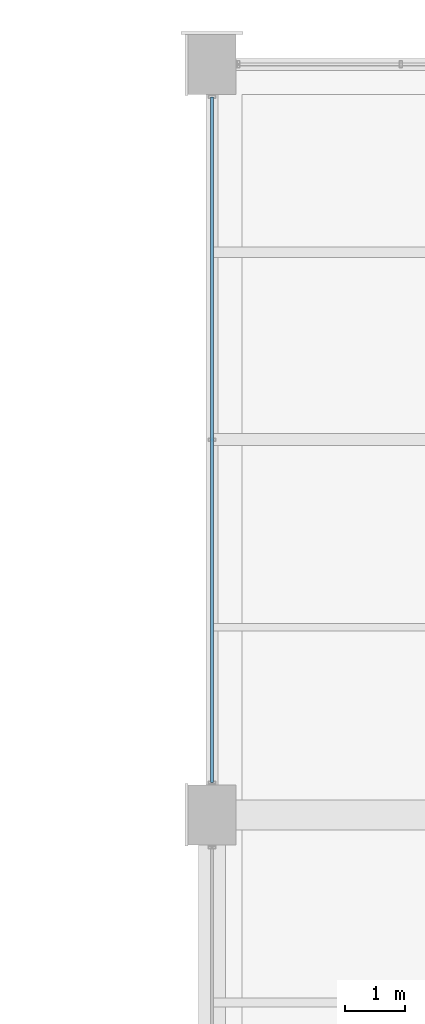
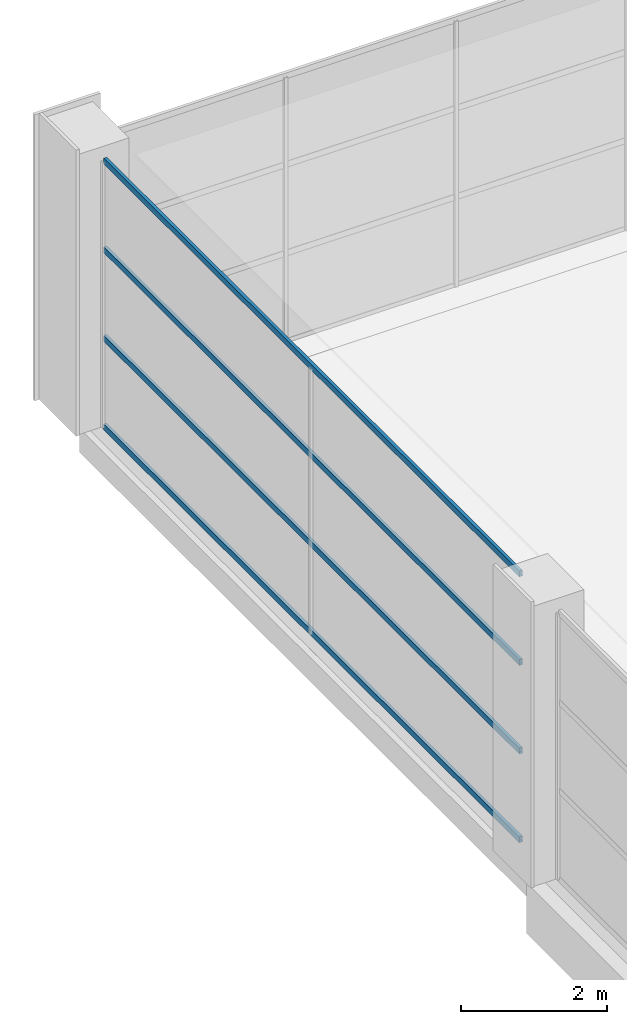
# One storey, part 61 of 112: 4 members, 1 element without a shape of its own.
"""IFC4 building model written with IfcOpenShell, lengths in metres."""

from ifc_helpers import new_model, si_unit, direction, frame, origin, origin_2d, place, context, subcontext, project, spatial, hollow_rectangle, extrude, material, material_profile, profile_set, type_object, element, aggregate, save


model = new_model("IFC4")

# Units and contexts
model_context = context("Model", 3, precision=1e-05, world=origin(), true_north=direction((0.0, 1.0)))
body_context = subcontext(model_context, "Body", "Model", "MODEL_VIEW")
ifc_project = project(units=[si_unit("LENGTHUNIT", "METRE"), si_unit("AREAUNIT", "SQUARE_METRE"), si_unit("VOLUMEUNIT", "CUBIC_METRE"), si_unit("PLANEANGLEUNIT", "RADIAN"), si_unit("MASSUNIT", "GRAM", prefix="KILO")], contexts=[model_context])

# Site, building, storey
site_placement = place(None, origin())
site = spatial("IfcSite", under=ifc_project, at=site_placement, CompositionType="ELEMENT")
building_placement = place(site_placement, origin())
building = spatial("IfcBuilding", under=site, at=building_placement, Name="Solvikara Media Centre", CompositionType="ELEMENT")
storey_placement = place(building_placement, frame((0.0, 0.0, 5.39990234375)))
storey = spatial("IfcBuildingStorey", under=building, at=storey_placement, Name="L01", CompositionType="ELEMENT", Elevation=5.39990234375)

# Curtain wall, members
ifc_material = material(Name="Anodised aluminium EN AW-6063", Category="aluminium")
curtain_wall_type = type_object("IfcCurtainWallType", Name="CW-12", PredefinedType="NOTDEFINED", material=ifc_material)
curtain_wall_placement = place(storey_placement, origin())
curtain_wall = element("IfcCurtainWall", 1, at=curtain_wall_placement, inside=storey, type_object=curtain_wall_type, Name="CW-L01-V2W-S6", PredefinedType="NOTDEFINED")
ifc_material_profile = material_profile(ifc_material, hollow_rectangle(XDim=0.050048828125, YDim=0.10009765625, WallThickness=0.0029296875, at=origin_2d()), Name="ALU-T 50x100x3")
ifc_profile_set = profile_set([ifc_material_profile], Name="Anodised aluminium EN AW-6063")
member_type = type_object("IfcMemberType", Name="MF-12", PredefinedType="USERDEFINED", material=ifc_profile_set)
member_1_placement = place(storey_placement, frame((127.5, 102.0400390625, 0.02001953125), z_axis=(0.0, 1.0, 0.0), x_axis=(-1.0, 0.0, 0.0)))
member_1 = element("IfcMember", 2, at=member_1_placement, type_object=member_type, Name="CW-L01-V2W-S6-T00", ObjectType="TRANSOM", PredefinedType="USERDEFINED", context=body_context, shape_type="SweptSolid", body=[
    extrude(hollow_rectangle(XDim=0.050048828125, YDim=0.10009765625, WallThickness=0.0029296875, at=origin_2d()), origin(), (0.0, 0.0, 1.0), 11.419921875),
])
member_2_placement = place(storey_placement, frame((127.5, 102.0400390625, 1.507080078125), z_axis=(0.0, 1.0, 0.0), x_axis=(-1.0, 0.0, 0.0)))
member_2 = element("IfcMember", 3, at=member_2_placement, type_object=member_type, Name="CW-L01-V2W-S6-T01", ObjectType="TRANSOM", PredefinedType="USERDEFINED", context=body_context, shape_type="SweptSolid", body=[
    extrude(hollow_rectangle(XDim=0.050048828125, YDim=0.10009765625, WallThickness=0.0029296875, at=origin_2d()), origin(), (0.0, 0.0, 1.0), 11.419921875),
])
member_3_placement = place(storey_placement, frame((127.5, 102.0400390625, 2.9931640625), z_axis=(0.0, 1.0, 0.0), x_axis=(-1.0, 0.0, 0.0)))
member_3 = element("IfcMember", 4, at=member_3_placement, type_object=member_type, Name="CW-L01-V2W-S6-T02", ObjectType="TRANSOM", PredefinedType="USERDEFINED", context=body_context, shape_type="SweptSolid", body=[
    extrude(hollow_rectangle(XDim=0.050048828125, YDim=0.10009765625, WallThickness=0.0029296875, at=origin_2d()), origin(), (0.0, 0.0, 1.0), 11.419921875),
])
member_4_placement = place(storey_placement, frame((127.5, 102.0400390625, 4.47998046875), z_axis=(0.0, 1.0, 0.0), x_axis=(-1.0, 0.0, 0.0)))
member_4 = element("IfcMember", 5, at=member_4_placement, type_object=member_type, Name="CW-L01-V2W-S6-T03", ObjectType="TRANSOM", PredefinedType="USERDEFINED", context=body_context, shape_type="SweptSolid", body=[
    extrude(hollow_rectangle(XDim=0.050048828125, YDim=0.10009765625, WallThickness=0.0029296875, at=origin_2d()), origin(), (0.0, 0.0, 1.0), 11.419921875),
])
aggregate(curtain_wall, [member_1, member_2, member_3, member_4])

save(model, "model.ifc")
